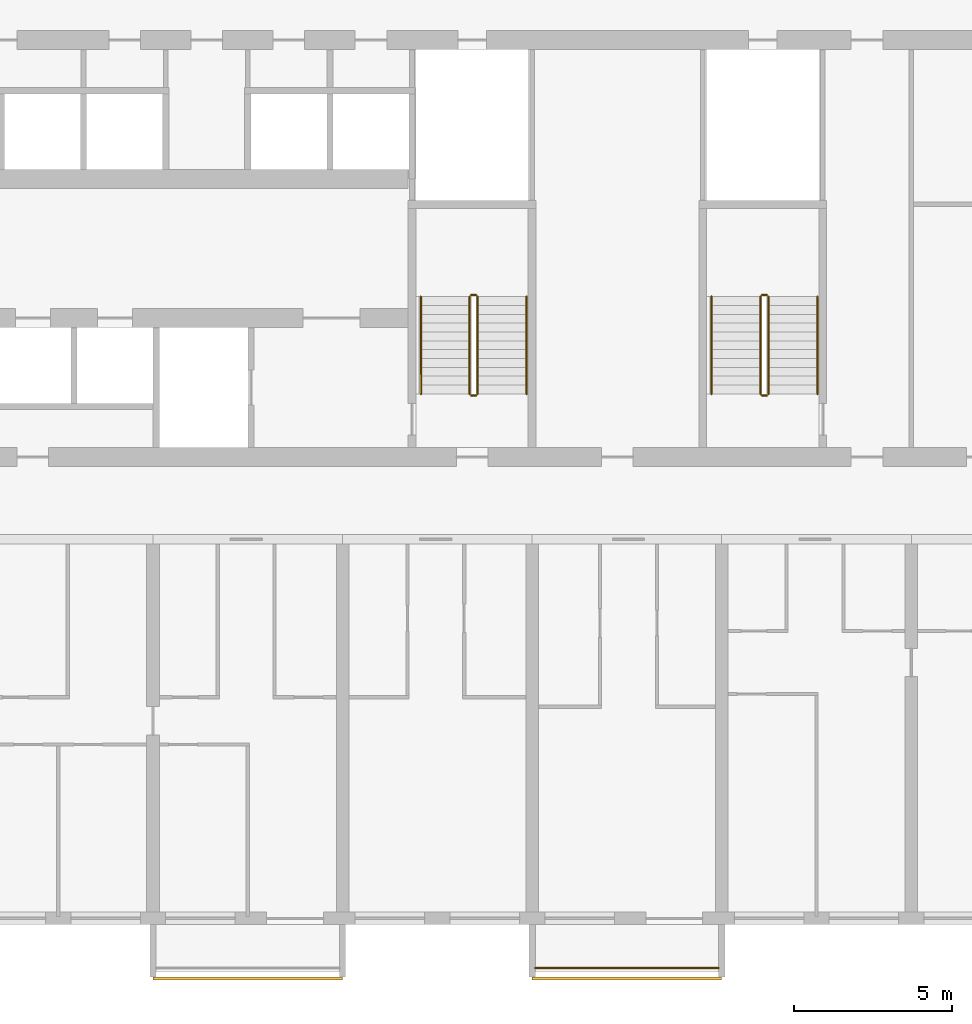
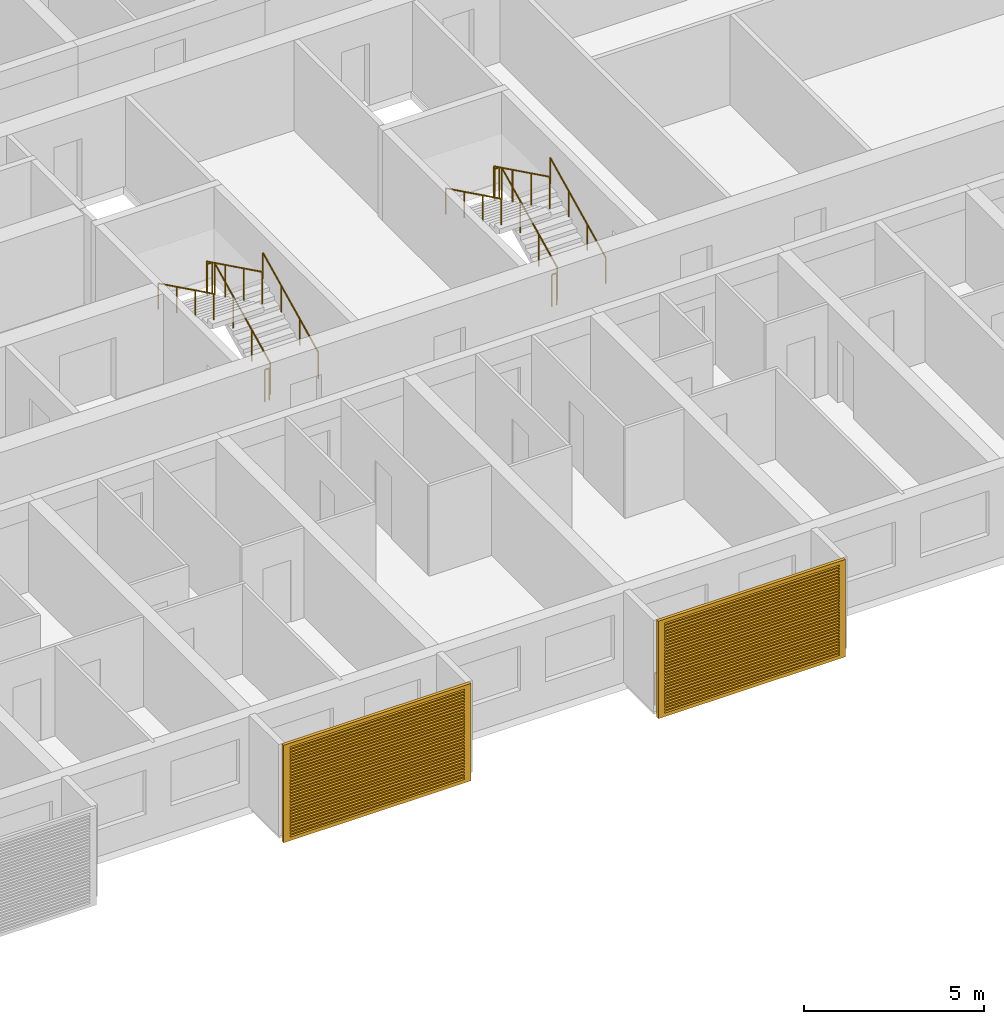
# One storey, part 23 of 23: 13 railings, 2 shading devices.
"""IFC4 building model written with IfcOpenShell, lengths in metres."""

from ifc_helpers import new_model, si_unit, direction, frame, origin, origin_2d, place, context, subcontext, project, spatial, polyline, circle, outline, extrude, source, transform, mapped, material, material_profile, profile_set, type_object, element, save


model = new_model("IFC4")

# Units and contexts
model_context = context("Model", 3, precision=1e-05, world=origin(), true_north=direction((0.0, 1.0)))
body_context = subcontext(model_context, "Body", "Model", "MODEL_VIEW")
ifc_project = project(units=[si_unit("LENGTHUNIT", "METRE"), si_unit("AREAUNIT", "SQUARE_METRE"), si_unit("VOLUMEUNIT", "CUBIC_METRE"), si_unit("PLANEANGLEUNIT", "RADIAN"), si_unit("MASSUNIT", "GRAM", prefix="KILO")], contexts=[model_context])

# Site, building, storey
site_placement = place(None, origin())
site = spatial("IfcSite", under=ifc_project, at=site_placement, CompositionType="ELEMENT")
building_placement = place(site_placement, origin())
building = spatial("IfcBuilding", under=site, at=building_placement, Name="Poui Terraces", CompositionType="ELEMENT")
storey_placement = place(building_placement, frame((0.0, 0.0, 23.39990234375)))
storey = spatial("IfcBuildingStorey", under=building, at=storey_placement, Name="L05", CompositionType="ELEMENT", Elevation=23.39990234375)

# Railings
ifc_material_1 = material(Name="Painted steel fretwork", Category="steel")
railing_type_1 = type_object("IfcRailingType", Name="BALCONY GUARD 1100", PredefinedType="GUARDRAIL", material=ifc_material_1)
railing_1_placement = place(storey_placement, frame((72.10009765625, -1.570068359375, 0.0)))
element("IfcRailing", 1, at=railing_1_placement, inside=storey, type_object=railing_type_1, Name="BALCONY GUARD", PredefinedType="GUARDRAIL", context=body_context, shape_type="SweptSolid", body=[
    extrude(circle(Radius=0.02392578125, at=origin_2d()), frame((0.0, 0.0, 1.076171875), z_axis=(1.0, 0.0, 0.0), x_axis=(0.0, 1.0, 0.0)), (0.0, 0.0, 1.0), 5.7998046875),
    extrude(circle(Radius=0.02099609375, at=origin_2d()), origin(), (0.0, 0.0, 1.0), 1.052001953125),
    extrude(circle(Radius=0.02099609375, at=origin_2d()), frame((0.966552734375, 0.0, 0.0)), (0.0, 0.0, 1.0), 1.052001953125),
    extrude(circle(Radius=0.02099609375, at=origin_2d()), frame((1.933349609375, 0.0, 0.0)), (0.0, 0.0, 1.0), 1.052001953125),
    extrude(circle(Radius=0.02099609375, at=origin_2d()), frame((2.89990234375, 0.0, 0.0)), (0.0, 0.0, 1.0), 1.052001953125),
    extrude(circle(Radius=0.02099609375, at=origin_2d()), frame((3.866455078125, 0.0, 0.0)), (0.0, 0.0, 1.0), 1.052001953125),
    extrude(circle(Radius=0.02099609375, at=origin_2d()), frame((4.833251953125, 0.0, 0.0)), (0.0, 0.0, 1.0), 1.052001953125),
    extrude(circle(Radius=0.02099609375, at=origin_2d()), frame((5.7998046875, 0.0, 0.0)), (0.0, 0.0, 1.0), 1.052001953125),
])
ifc_material_2 = material(Name="Galvanised steel balustrade", Category="steel")
railing_type_2 = type_object("IfcRailingType", Name="STAIR GUARD 1100", PredefinedType="GUARDRAIL", material=ifc_material_2)
railing_2_placement = place(storey_placement, frame((70.27490234375, 16.60009765625, 0.1376953125)))
element("IfcRailing", 2, at=railing_2_placement, inside=storey, type_object=railing_type_2, Name="L05 ST-CE stair guard 1", PredefinedType="GUARDRAIL", context=body_context, shape_type="SweptSolid", body=[
    extrude(circle(Radius=0.02392578125, at=origin_2d()), frame((0.0, 0.0, 1.076171875), z_axis=(0.0, 0.897606190399, 0.440798283751), x_axis=(-1.0, 0.0, 0.0)), (0.0, 0.0, 1.0), 3.43115234375),
    extrude(circle(Radius=0.02099609375, at=origin_2d()), origin(), (0.0, 0.0, 1.0), 1.052001953125),
    extrude(circle(Radius=0.02099609375, at=origin_2d()), frame((0.0, 1.026611328125, 0.504150390625)), (0.0, 0.0, 1.0), 1.052001953125),
    extrude(circle(Radius=0.02099609375, at=origin_2d()), frame((0.0, 2.05322265625, 1.00830078125)), (0.0, 0.0, 1.0), 1.052001953125),
    extrude(circle(Radius=0.02099609375, at=origin_2d()), frame((0.0, 3.079833984375, 1.512451171875)), (0.0, 0.0, 1.0), 1.052001953125),
])
railing_3_placement = place(storey_placement, frame((70.22509765625, 19.72998046875, 1.650146484375)))
element("IfcRailing", 3, at=railing_3_placement, inside=storey, type_object=railing_type_2, Name="L05 ST-CE stair guard 2", PredefinedType="GUARDRAIL", context=body_context, shape_type="SweptSolid", body=[
    extrude(circle(Radius=0.02392578125, at=origin_2d()), frame((0.0, 0.0, 1.076171875), z_axis=(-1.0, 0.0, 0.0), x_axis=(0.0, -1.0, 0.0)), (0.0, 0.0, 1.0), 0.150146484375),
    extrude(circle(Radius=0.02099609375, at=origin_2d()), origin(), (0.0, 0.0, 1.0), 1.052001953125),
    extrude(circle(Radius=0.02099609375, at=origin_2d()), frame((-0.150146484375, 0.0, 0.0)), (0.0, 0.0, 1.0), 1.052001953125),
])
railing_4_placement = place(storey_placement, frame((70.02490234375, 19.679931640625, 1.78759765625)))
element("IfcRailing", 4, at=railing_4_placement, inside=storey, type_object=railing_type_2, Name="L05 ST-CE stair guard 3", PredefinedType="GUARDRAIL", context=body_context, shape_type="SweptSolid", body=[
    extrude(circle(Radius=0.02392578125, at=origin_2d()), frame((0.0, 0.0, 1.076171875), z_axis=(0.0, -0.897606190399, 0.440798283751), x_axis=(1.0, 0.0, 0.0)), (0.0, 0.0, 1.0), 3.43115234375),
    extrude(circle(Radius=0.02099609375, at=origin_2d()), origin(), (0.0, 0.0, 1.0), 1.052001953125),
    extrude(circle(Radius=0.02099609375, at=origin_2d()), frame((0.0, -1.026611328125, 0.504150390625)), (0.0, 0.0, 1.0), 1.052001953125),
    extrude(circle(Radius=0.02099609375, at=origin_2d()), frame((0.0, -2.05322265625, 1.00830078125)), (0.0, 0.0, 1.0), 1.052001953125),
    extrude(circle(Radius=0.02099609375, at=origin_2d()), frame((0.0, -3.079833984375, 1.512451171875)), (0.0, 0.0, 1.0), 1.052001953125),
])
railing_5_placement = place(storey_placement, frame((70.22509765625, 16.550048828125, 0.0)))
element("IfcRailing", 5, at=railing_5_placement, inside=storey, type_object=railing_type_2, Name="L05 ST-CE stair guard 4", PredefinedType="GUARDRAIL", context=body_context, shape_type="SweptSolid", body=[
    extrude(circle(Radius=0.02392578125, at=origin_2d()), frame((0.0, 0.0, 1.076171875), z_axis=(-1.0, 0.0, 0.0), x_axis=(0.0, -1.0, 0.0)), (0.0, 0.0, 1.0), 0.150146484375),
    extrude(circle(Radius=0.02099609375, at=origin_2d()), origin(), (0.0, 0.0, 1.0), 1.052001953125),
    extrude(circle(Radius=0.02099609375, at=origin_2d()), frame((-0.150146484375, 0.0, 0.0)), (0.0, 0.0, 1.0), 1.052001953125),
])
railing_6_placement = place(storey_placement, frame((79.47509765625, 16.60009765625, 0.1376953125)))
element("IfcRailing", 6, at=railing_6_placement, inside=storey, type_object=railing_type_2, Name="L05 ST-E stair guard 1", PredefinedType="GUARDRAIL", context=body_context, shape_type="SweptSolid", body=[
    extrude(circle(Radius=0.02392578125, at=origin_2d()), frame((0.0, 0.0, 1.076171875), z_axis=(0.0, 0.897606190399, 0.440798283751), x_axis=(-1.0, 0.0, 0.0)), (0.0, 0.0, 1.0), 3.43115234375),
    extrude(circle(Radius=0.02099609375, at=origin_2d()), origin(), (0.0, 0.0, 1.0), 1.052001953125),
    extrude(circle(Radius=0.02099609375, at=origin_2d()), frame((0.0, 1.026611328125, 0.504150390625)), (0.0, 0.0, 1.0), 1.052001953125),
    extrude(circle(Radius=0.02099609375, at=origin_2d()), frame((0.0, 2.05322265625, 1.00830078125)), (0.0, 0.0, 1.0), 1.052001953125),
    extrude(circle(Radius=0.02099609375, at=origin_2d()), frame((0.0, 3.079833984375, 1.512451171875)), (0.0, 0.0, 1.0), 1.052001953125),
])
railing_7_placement = place(storey_placement, frame((79.425048828125, 19.72998046875, 1.650146484375)))
element("IfcRailing", 7, at=railing_7_placement, inside=storey, type_object=railing_type_2, Name="L05 ST-E stair guard 2", PredefinedType="GUARDRAIL", context=body_context, shape_type="SweptSolid", body=[
    extrude(circle(Radius=0.02392578125, at=origin_2d()), frame((0.0, 0.0, 1.076171875), z_axis=(-1.0, 0.0, 0.0), x_axis=(0.0, -1.0, 0.0)), (0.0, 0.0, 1.0), 0.150146484375),
    extrude(circle(Radius=0.02099609375, at=origin_2d()), origin(), (0.0, 0.0, 1.0), 1.052001953125),
    extrude(circle(Radius=0.02099609375, at=origin_2d()), frame((-0.150146484375, 0.0, 0.0)), (0.0, 0.0, 1.0), 1.052001953125),
])
railing_8_placement = place(storey_placement, frame((79.22509765625, 19.679931640625, 1.78759765625)))
element("IfcRailing", 8, at=railing_8_placement, inside=storey, type_object=railing_type_2, Name="L05 ST-E stair guard 3", PredefinedType="GUARDRAIL", context=body_context, shape_type="SweptSolid", body=[
    extrude(circle(Radius=0.02392578125, at=origin_2d()), frame((0.0, 0.0, 1.076171875), z_axis=(0.0, -0.897606190399, 0.440798283751), x_axis=(1.0, 0.0, 0.0)), (0.0, 0.0, 1.0), 3.43115234375),
    extrude(circle(Radius=0.02099609375, at=origin_2d()), origin(), (0.0, 0.0, 1.0), 1.052001953125),
    extrude(circle(Radius=0.02099609375, at=origin_2d()), frame((0.0, -1.026611328125, 0.504150390625)), (0.0, 0.0, 1.0), 1.052001953125),
    extrude(circle(Radius=0.02099609375, at=origin_2d()), frame((0.0, -2.05322265625, 1.00830078125)), (0.0, 0.0, 1.0), 1.052001953125),
    extrude(circle(Radius=0.02099609375, at=origin_2d()), frame((0.0, -3.079833984375, 1.512451171875)), (0.0, 0.0, 1.0), 1.052001953125),
])
railing_9_placement = place(storey_placement, frame((79.425048828125, 16.550048828125, 0.0)))
element("IfcRailing", 9, at=railing_9_placement, inside=storey, type_object=railing_type_2, Name="L05 ST-E stair guard 4", PredefinedType="GUARDRAIL", context=body_context, shape_type="SweptSolid", body=[
    extrude(circle(Radius=0.02392578125, at=origin_2d()), frame((0.0, 0.0, 1.076171875), z_axis=(-1.0, 0.0, 0.0), x_axis=(0.0, -1.0, 0.0)), (0.0, 0.0, 1.0), 0.150146484375),
    extrude(circle(Radius=0.02099609375, at=origin_2d()), origin(), (0.0, 0.0, 1.0), 1.052001953125),
    extrude(circle(Radius=0.02099609375, at=origin_2d()), frame((-0.150146484375, 0.0, 0.0)), (0.0, 0.0, 1.0), 1.052001953125),
])
ifc_material_3 = material(Name="Stainless steel handrail", Category="steel")
railing_type_3 = type_object("IfcRailingType", Name="STAIR HANDRAIL 900", PredefinedType="HANDRAIL", material=ifc_material_3)
railing_10_placement = place(storey_placement, frame((71.824951171875, 16.60009765625, 0.1376953125)))
element("IfcRailing", 10, at=railing_10_placement, inside=storey, type_object=railing_type_3, Name="L05 ST-CE stair handrail 1", PredefinedType="HANDRAIL", context=body_context, shape_type="SweptSolid", body=[
    extrude(circle(Radius=0.02392578125, at=origin_2d()), frame((0.0, 0.0, 0.8759765625), z_axis=(0.0, 0.897606190399, 0.440798283751), x_axis=(-1.0, 0.0, 0.0)), (0.0, 0.0, 1.0), 3.43115234375),
    extrude(circle(Radius=0.02099609375, at=origin_2d()), origin(), (0.0, 0.0, 1.0), 0.851806640625),
    extrude(circle(Radius=0.02099609375, at=origin_2d()), frame((0.0, 1.026611328125, 0.504150390625)), (0.0, 0.0, 1.0), 0.851806640625),
    extrude(circle(Radius=0.02099609375, at=origin_2d()), frame((0.0, 2.05322265625, 1.00830078125)), (0.0, 0.0, 1.0), 0.851806640625),
    extrude(circle(Radius=0.02099609375, at=origin_2d()), frame((0.0, 3.079833984375, 1.512451171875)), (0.0, 0.0, 1.0), 0.851806640625),
])
railing_11_placement = place(storey_placement, frame((68.47509765625, 19.679931640625, 1.78759765625)))
element("IfcRailing", 11, at=railing_11_placement, inside=storey, type_object=railing_type_3, Name="L05 ST-CE stair handrail 2", PredefinedType="HANDRAIL", context=body_context, shape_type="SweptSolid", body=[
    extrude(circle(Radius=0.02392578125, at=origin_2d()), frame((0.0, 0.0, 0.8759765625), z_axis=(0.0, -0.897606190399, 0.440798283751), x_axis=(1.0, 0.0, 0.0)), (0.0, 0.0, 1.0), 3.43115234375),
    extrude(circle(Radius=0.02099609375, at=origin_2d()), origin(), (0.0, 0.0, 1.0), 0.851806640625),
    extrude(circle(Radius=0.02099609375, at=origin_2d()), frame((0.0, -1.026611328125, 0.504150390625)), (0.0, 0.0, 1.0), 0.851806640625),
    extrude(circle(Radius=0.02099609375, at=origin_2d()), frame((0.0, -2.05322265625, 1.00830078125)), (0.0, 0.0, 1.0), 0.851806640625),
    extrude(circle(Radius=0.02099609375, at=origin_2d()), frame((0.0, -3.079833984375, 1.512451171875)), (0.0, 0.0, 1.0), 0.851806640625),
])
railing_12_placement = place(storey_placement, frame((81.02490234375, 16.60009765625, 0.1376953125)))
element("IfcRailing", 12, at=railing_12_placement, inside=storey, type_object=railing_type_3, Name="L05 ST-E stair handrail 1", PredefinedType="HANDRAIL", context=body_context, shape_type="SweptSolid", body=[
    extrude(circle(Radius=0.02392578125, at=origin_2d()), frame((0.0, 0.0, 0.8759765625), z_axis=(0.0, 0.897606190399, 0.440798283751), x_axis=(-1.0, 0.0, 0.0)), (0.0, 0.0, 1.0), 3.43115234375),
    extrude(circle(Radius=0.02099609375, at=origin_2d()), origin(), (0.0, 0.0, 1.0), 0.851806640625),
    extrude(circle(Radius=0.02099609375, at=origin_2d()), frame((0.0, 1.026611328125, 0.504150390625)), (0.0, 0.0, 1.0), 0.851806640625),
    extrude(circle(Radius=0.02099609375, at=origin_2d()), frame((0.0, 2.05322265625, 1.00830078125)), (0.0, 0.0, 1.0), 0.851806640625),
    extrude(circle(Radius=0.02099609375, at=origin_2d()), frame((0.0, 3.079833984375, 1.512451171875)), (0.0, 0.0, 1.0), 0.851806640625),
])
railing_13_placement = place(storey_placement, frame((77.675048828125, 19.679931640625, 1.78759765625)))
element("IfcRailing", 13, at=railing_13_placement, inside=storey, type_object=railing_type_3, Name="L05 ST-E stair handrail 2", PredefinedType="HANDRAIL", context=body_context, shape_type="SweptSolid", body=[
    extrude(circle(Radius=0.02392578125, at=origin_2d()), frame((0.0, 0.0, 0.8759765625), z_axis=(0.0, -0.897606190399, 0.440798283751), x_axis=(1.0, 0.0, 0.0)), (0.0, 0.0, 1.0), 3.43115234375),
    extrude(circle(Radius=0.02099609375, at=origin_2d()), origin(), (0.0, 0.0, 1.0), 0.851806640625),
    extrude(circle(Radius=0.02099609375, at=origin_2d()), frame((0.0, -1.026611328125, 0.504150390625)), (0.0, 0.0, 1.0), 0.851806640625),
    extrude(circle(Radius=0.02099609375, at=origin_2d()), frame((0.0, -2.05322265625, 1.00830078125)), (0.0, 0.0, 1.0), 0.851806640625),
    extrude(circle(Radius=0.02099609375, at=origin_2d()), frame((0.0, -3.079833984375, 1.512451171875)), (0.0, 0.0, 1.0), 0.851806640625),
])

# Shading devices
ifc_material_4 = material(Name="Aluminium louvre", Category="aluminium")
ifc_material_profile = material_profile(ifc_material_4, outline(polyline([(-3.0, -1.64990234375), (3.0, -1.64990234375), (3.0, 1.64990234375), (-3.0, 1.64990234375), (-3.0, -1.64990234375)]), holes=[polyline([(-2.800048828125, -1.530029296875), (2.800048828125, -1.530029296875), (2.800048828125, -1.469970703125), (-2.800048828125, -1.469970703125), (-2.800048828125, -1.530029296875)]), polyline([(-2.800048828125, -1.429931640625), (2.800048828125, -1.429931640625), (2.800048828125, -1.3701171875), (-2.800048828125, -1.3701171875), (-2.800048828125, -1.429931640625)]), polyline([(-2.800048828125, -1.330078125), (2.800048828125, -1.330078125), (2.800048828125, -1.27001953125), (-2.800048828125, -1.27001953125), (-2.800048828125, -1.330078125)]), polyline([(-2.800048828125, -1.22998046875), (2.800048828125, -1.22998046875), (2.800048828125, -1.169921875), (-2.800048828125, -1.169921875), (-2.800048828125, -1.22998046875)]), polyline([(-2.800048828125, -1.1298828125), (2.800048828125, -1.1298828125), (2.800048828125, -1.070068359375), (-2.800048828125, -1.070068359375), (-2.800048828125, -1.1298828125)]), polyline([(-2.800048828125, -1.030029296875), (2.800048828125, -1.030029296875), (2.800048828125, -0.969970703125), (-2.800048828125, -0.969970703125), (-2.800048828125, -1.030029296875)]), polyline([(-2.800048828125, -0.929931640625), (2.800048828125, -0.929931640625), (2.800048828125, -0.8701171875), (-2.800048828125, -0.8701171875), (-2.800048828125, -0.929931640625)]), polyline([(-2.800048828125, -0.830078125), (2.800048828125, -0.830078125), (2.800048828125, -0.77001953125), (-2.800048828125, -0.77001953125), (-2.800048828125, -0.830078125)]), polyline([(-2.800048828125, -0.72998046875), (2.800048828125, -0.72998046875), (2.800048828125, -0.669921875), (-2.800048828125, -0.669921875), (-2.800048828125, -0.72998046875)]), polyline([(-2.800048828125, -0.6298828125), (2.800048828125, -0.6298828125), (2.800048828125, -0.570068359375), (-2.800048828125, -0.570068359375), (-2.800048828125, -0.6298828125)]), polyline([(-2.800048828125, -0.530029296875), (2.800048828125, -0.530029296875), (2.800048828125, -0.469970703125), (-2.800048828125, -0.469970703125), (-2.800048828125, -0.530029296875)]), polyline([(-2.800048828125, -0.429931640625), (2.800048828125, -0.429931640625), (2.800048828125, -0.3701171875), (-2.800048828125, -0.3701171875), (-2.800048828125, -0.429931640625)]), polyline([(-2.800048828125, -0.330078125), (2.800048828125, -0.330078125), (2.800048828125, -0.27001953125), (-2.800048828125, -0.27001953125), (-2.800048828125, -0.330078125)]), polyline([(-2.800048828125, -0.22998046875), (2.800048828125, -0.22998046875), (2.800048828125, -0.169921875), (-2.800048828125, -0.169921875), (-2.800048828125, -0.22998046875)]), polyline([(-2.800048828125, -0.1298828125), (2.800048828125, -0.1298828125), (2.800048828125, -0.070068359375), (-2.800048828125, -0.070068359375), (-2.800048828125, -0.1298828125)]), polyline([(-2.800048828125, -0.030029296875), (2.800048828125, -0.030029296875), (2.800048828125, 0.030029296875), (-2.800048828125, 0.030029296875), (-2.800048828125, -0.030029296875)]), polyline([(-2.800048828125, 0.070068359375), (2.800048828125, 0.070068359375), (2.800048828125, 0.1298828125), (-2.800048828125, 0.1298828125), (-2.800048828125, 0.070068359375)]), polyline([(-2.800048828125, 0.169921875), (2.800048828125, 0.169921875), (2.800048828125, 0.22998046875), (-2.800048828125, 0.22998046875), (-2.800048828125, 0.169921875)]), polyline([(-2.800048828125, 0.27001953125), (2.800048828125, 0.27001953125), (2.800048828125, 0.330078125), (-2.800048828125, 0.330078125), (-2.800048828125, 0.27001953125)]), polyline([(-2.800048828125, 0.3701171875), (2.800048828125, 0.3701171875), (2.800048828125, 0.429931640625), (-2.800048828125, 0.429931640625), (-2.800048828125, 0.3701171875)]), polyline([(-2.800048828125, 0.469970703125), (2.800048828125, 0.469970703125), (2.800048828125, 0.530029296875), (-2.800048828125, 0.530029296875), (-2.800048828125, 0.469970703125)]), polyline([(-2.800048828125, 0.570068359375), (2.800048828125, 0.570068359375), (2.800048828125, 0.6298828125), (-2.800048828125, 0.6298828125), (-2.800048828125, 0.570068359375)]), polyline([(-2.800048828125, 0.669921875), (2.800048828125, 0.669921875), (2.800048828125, 0.72998046875), (-2.800048828125, 0.72998046875), (-2.800048828125, 0.669921875)]), polyline([(-2.800048828125, 0.77001953125), (2.800048828125, 0.77001953125), (2.800048828125, 0.830078125), (-2.800048828125, 0.830078125), (-2.800048828125, 0.77001953125)]), polyline([(-2.800048828125, 0.8701171875), (2.800048828125, 0.8701171875), (2.800048828125, 0.929931640625), (-2.800048828125, 0.929931640625), (-2.800048828125, 0.8701171875)]), polyline([(-2.800048828125, 0.969970703125), (2.800048828125, 0.969970703125), (2.800048828125, 1.030029296875), (-2.800048828125, 1.030029296875), (-2.800048828125, 0.969970703125)]), polyline([(-2.800048828125, 1.070068359375), (2.800048828125, 1.070068359375), (2.800048828125, 1.1298828125), (-2.800048828125, 1.1298828125), (-2.800048828125, 1.070068359375)]), polyline([(-2.800048828125, 1.169921875), (2.800048828125, 1.169921875), (2.800048828125, 1.22998046875), (-2.800048828125, 1.22998046875), (-2.800048828125, 1.169921875)]), polyline([(-2.800048828125, 1.27001953125), (2.800048828125, 1.27001953125), (2.800048828125, 1.330078125), (-2.800048828125, 1.330078125), (-2.800048828125, 1.27001953125)]), polyline([(-2.800048828125, 1.3701171875), (2.800048828125, 1.3701171875), (2.800048828125, 1.429931640625), (-2.800048828125, 1.429931640625), (-2.800048828125, 1.3701171875)]), polyline([(-2.800048828125, 1.469970703125), (2.800048828125, 1.469970703125), (2.800048828125, 1.530029296875), (-2.800048828125, 1.530029296875), (-2.800048828125, 1.469970703125)])]), Name="JALOUSIE LOUVRE SHUTTER 6000X3300")
ifc_profile_set = profile_set([ifc_material_profile], Name="Aluminium louvre")
shading_device_type = type_object("IfcShadingDeviceType", Name="JALOUSIE LOUVRE SHUTTER 6000X3300", PredefinedType="JALOUSIE", material=ifc_profile_set)
shared_shape = source(origin(), body_context, "Body", "SweptSolid", [
    extrude(outline(polyline([(-3.0, -1.64990234375), (3.0, -1.64990234375), (3.0, 1.64990234375), (-3.0, 1.64990234375), (-3.0, -1.64990234375)]), holes=[polyline([(-2.800048828125, -1.530029296875), (2.800048828125, -1.530029296875), (2.800048828125, -1.469970703125), (-2.800048828125, -1.469970703125), (-2.800048828125, -1.530029296875)]), polyline([(-2.800048828125, -1.429931640625), (2.800048828125, -1.429931640625), (2.800048828125, -1.3701171875), (-2.800048828125, -1.3701171875), (-2.800048828125, -1.429931640625)]), polyline([(-2.800048828125, -1.330078125), (2.800048828125, -1.330078125), (2.800048828125, -1.27001953125), (-2.800048828125, -1.27001953125), (-2.800048828125, -1.330078125)]), polyline([(-2.800048828125, -1.22998046875), (2.800048828125, -1.22998046875), (2.800048828125, -1.169921875), (-2.800048828125, -1.169921875), (-2.800048828125, -1.22998046875)]), polyline([(-2.800048828125, -1.1298828125), (2.800048828125, -1.1298828125), (2.800048828125, -1.070068359375), (-2.800048828125, -1.070068359375), (-2.800048828125, -1.1298828125)]), polyline([(-2.800048828125, -1.030029296875), (2.800048828125, -1.030029296875), (2.800048828125, -0.969970703125), (-2.800048828125, -0.969970703125), (-2.800048828125, -1.030029296875)]), polyline([(-2.800048828125, -0.929931640625), (2.800048828125, -0.929931640625), (2.800048828125, -0.8701171875), (-2.800048828125, -0.8701171875), (-2.800048828125, -0.929931640625)]), polyline([(-2.800048828125, -0.830078125), (2.800048828125, -0.830078125), (2.800048828125, -0.77001953125), (-2.800048828125, -0.77001953125), (-2.800048828125, -0.830078125)]), polyline([(-2.800048828125, -0.72998046875), (2.800048828125, -0.72998046875), (2.800048828125, -0.669921875), (-2.800048828125, -0.669921875), (-2.800048828125, -0.72998046875)]), polyline([(-2.800048828125, -0.6298828125), (2.800048828125, -0.6298828125), (2.800048828125, -0.570068359375), (-2.800048828125, -0.570068359375), (-2.800048828125, -0.6298828125)]), polyline([(-2.800048828125, -0.530029296875), (2.800048828125, -0.530029296875), (2.800048828125, -0.469970703125), (-2.800048828125, -0.469970703125), (-2.800048828125, -0.530029296875)]), polyline([(-2.800048828125, -0.429931640625), (2.800048828125, -0.429931640625), (2.800048828125, -0.3701171875), (-2.800048828125, -0.3701171875), (-2.800048828125, -0.429931640625)]), polyline([(-2.800048828125, -0.330078125), (2.800048828125, -0.330078125), (2.800048828125, -0.27001953125), (-2.800048828125, -0.27001953125), (-2.800048828125, -0.330078125)]), polyline([(-2.800048828125, -0.22998046875), (2.800048828125, -0.22998046875), (2.800048828125, -0.169921875), (-2.800048828125, -0.169921875), (-2.800048828125, -0.22998046875)]), polyline([(-2.800048828125, -0.1298828125), (2.800048828125, -0.1298828125), (2.800048828125, -0.070068359375), (-2.800048828125, -0.070068359375), (-2.800048828125, -0.1298828125)]), polyline([(-2.800048828125, -0.030029296875), (2.800048828125, -0.030029296875), (2.800048828125, 0.030029296875), (-2.800048828125, 0.030029296875), (-2.800048828125, -0.030029296875)]), polyline([(-2.800048828125, 0.070068359375), (2.800048828125, 0.070068359375), (2.800048828125, 0.1298828125), (-2.800048828125, 0.1298828125), (-2.800048828125, 0.070068359375)]), polyline([(-2.800048828125, 0.169921875), (2.800048828125, 0.169921875), (2.800048828125, 0.22998046875), (-2.800048828125, 0.22998046875), (-2.800048828125, 0.169921875)]), polyline([(-2.800048828125, 0.27001953125), (2.800048828125, 0.27001953125), (2.800048828125, 0.330078125), (-2.800048828125, 0.330078125), (-2.800048828125, 0.27001953125)]), polyline([(-2.800048828125, 0.3701171875), (2.800048828125, 0.3701171875), (2.800048828125, 0.429931640625), (-2.800048828125, 0.429931640625), (-2.800048828125, 0.3701171875)]), polyline([(-2.800048828125, 0.469970703125), (2.800048828125, 0.469970703125), (2.800048828125, 0.530029296875), (-2.800048828125, 0.530029296875), (-2.800048828125, 0.469970703125)]), polyline([(-2.800048828125, 0.570068359375), (2.800048828125, 0.570068359375), (2.800048828125, 0.6298828125), (-2.800048828125, 0.6298828125), (-2.800048828125, 0.570068359375)]), polyline([(-2.800048828125, 0.669921875), (2.800048828125, 0.669921875), (2.800048828125, 0.72998046875), (-2.800048828125, 0.72998046875), (-2.800048828125, 0.669921875)]), polyline([(-2.800048828125, 0.77001953125), (2.800048828125, 0.77001953125), (2.800048828125, 0.830078125), (-2.800048828125, 0.830078125), (-2.800048828125, 0.77001953125)]), polyline([(-2.800048828125, 0.8701171875), (2.800048828125, 0.8701171875), (2.800048828125, 0.929931640625), (-2.800048828125, 0.929931640625), (-2.800048828125, 0.8701171875)]), polyline([(-2.800048828125, 0.969970703125), (2.800048828125, 0.969970703125), (2.800048828125, 1.030029296875), (-2.800048828125, 1.030029296875), (-2.800048828125, 0.969970703125)]), polyline([(-2.800048828125, 1.070068359375), (2.800048828125, 1.070068359375), (2.800048828125, 1.1298828125), (-2.800048828125, 1.1298828125), (-2.800048828125, 1.070068359375)]), polyline([(-2.800048828125, 1.169921875), (2.800048828125, 1.169921875), (2.800048828125, 1.22998046875), (-2.800048828125, 1.22998046875), (-2.800048828125, 1.169921875)]), polyline([(-2.800048828125, 1.27001953125), (2.800048828125, 1.27001953125), (2.800048828125, 1.330078125), (-2.800048828125, 1.330078125), (-2.800048828125, 1.27001953125)]), polyline([(-2.800048828125, 1.3701171875), (2.800048828125, 1.3701171875), (2.800048828125, 1.429931640625), (-2.800048828125, 1.429931640625), (-2.800048828125, 1.3701171875)]), polyline([(-2.800048828125, 1.469970703125), (2.800048828125, 1.469970703125), (2.800048828125, 1.530029296875), (-2.800048828125, 1.530029296875), (-2.800048828125, 1.469970703125)])]), origin(), (0.0, 0.0, 1.0), 0.099853515625),
])
for number, where, z_axis, x_axis, name in (
    (14, (63.0, -1.85009765625, 1.4501953125), (0.0, -1.0, 0.0), (1.0, 0.0, 0.0), "JALOUSIE LOUVRE SHUTTER"),
    (15, (75.0, -1.85009765625, 1.4501953125), (0.0, -1.0, 0.0), (1.0, 0.0, 0.0), "JALOUSIE LOUVRE SHUTTER"),
):
    element("IfcShadingDevice", number, at=place(storey_placement, frame(where, z_axis=z_axis, x_axis=x_axis)), inside=storey, type_object=shading_device_type, Name=name, PredefinedType="JALOUSIE", context=body_context, shape_type="MappedRepresentation", body=[
        mapped(shared_shape, transform((0.0, 0.0, 0.0))),
    ])

save(model, "model.ifc")
